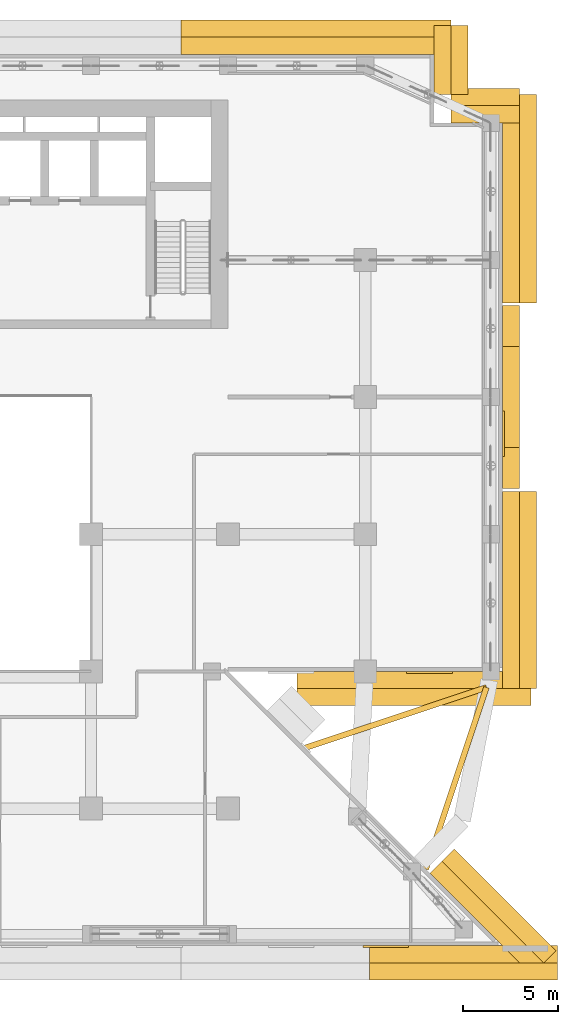
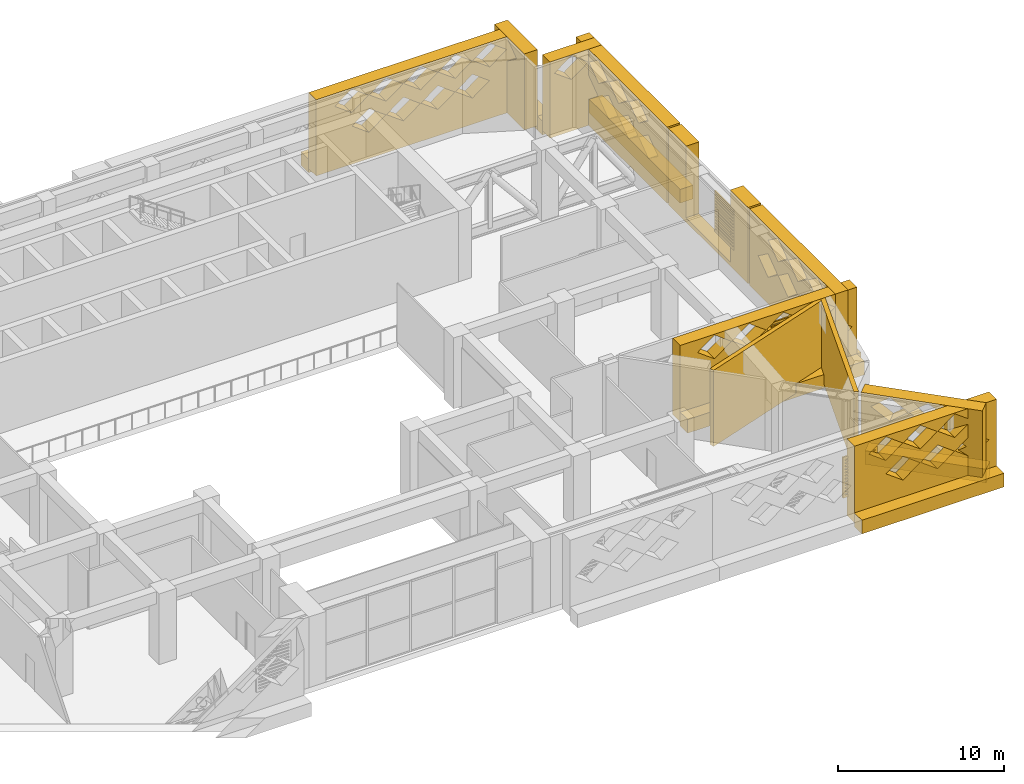
# One storey, part 19 of 19: 22 coverings.
"""IFC4 building model written with IfcOpenShell, lengths in metres."""

from ifc_helpers import new_model, si_unit, direction, frame, origin, place, context, subcontext, project, spatial, polyline, outline, extrude, material, layer, layer_set, type_object, element, save


model = new_model("IFC4")

# Units and contexts
model_context = context("Model", 3, precision=1e-05, world=origin(), true_north=direction((0.0, 1.0)))
body_context = subcontext(model_context, "Body", "Model", "MODEL_VIEW")
ifc_project = project(units=[si_unit("LENGTHUNIT", "METRE"), si_unit("AREAUNIT", "SQUARE_METRE"), si_unit("VOLUMEUNIT", "CUBIC_METRE"), si_unit("PLANEANGLEUNIT", "RADIAN"), si_unit("MASSUNIT", "GRAM", prefix="KILO")], contexts=[model_context])

# Site, building, storey
site_placement = place(None, origin())
site = spatial("IfcSite", under=ifc_project, at=site_placement, CompositionType="ELEMENT")
building_placement = place(site_placement, origin())
building = spatial("IfcBuilding", under=site, at=building_placement, Name="Saffron Iwan Residences", CompositionType="ELEMENT")
storey_placement = place(building_placement, frame((0.0, 0.0, 107.5)))
storey = spatial("IfcBuildingStorey", under=building, at=storey_placement, Name="L28", CompositionType="ELEMENT", Elevation=107.5)

# Coverings
ifc_material_1 = material(Name="Precast concrete C40/50 white painted", Category="concrete")
covering_type_1 = type_object("IfcCoveringType", Name="IWAN PANEL PRECAST WHITE", PredefinedType="CLADDING", material=ifc_material_1)
covering_1_placement = place(storey_placement, frame((86.39990234375, 57.60009765625, -0.39990234375), z_axis=(1.0, 0.0, 0.0), x_axis=(0.0, 1.0, 0.0)))
element("IfcCovering", 1, at=covering_1_placement, inside=storey, type_object=covering_type_1, Name="Iwan panel L28 F2.0", PredefinedType="CLADDING", context=body_context, shape_type="SweptSolid", body=[
    extrude(outline(polyline([(9.60009765625, 5.60009765625), (9.60009765625, 0.0), (0.0, 0.0), (0.0, 5.60009765625), (2.149169921875, 5.60009765625), (2.12841796875, 5.42529296875), (2.10009765625, 4.7041015625), (2.10009765625, 0.300048828125), (7.5, 0.300048828125), (7.5, 4.7041015625), (7.4716796875, 5.42529296875), (7.45068359375, 5.60009765625), (9.60009765625, 5.60009765625)])), origin(), (0.0, 0.0, 1.0), 0.900146484375),
])
ifc_material_2 = material(Name="Precast concrete C40/50", Category="concrete")
covering_type_2 = type_object("IfcCoveringType", Name="OUTER SKIN LATTICE SCREEN", PredefinedType="CLADDING", material=ifc_material_2)
covering_2_placement = place(storey_placement, frame((87.939453125, 32.060546875, -0.39990234375), z_axis=(0.706971125213, 0.70724241114, 0.0), x_axis=(-0.70724241114, 0.706971125213, 0.0)))
element("IfcCovering", 2, at=covering_2_placement, inside=storey, type_object=covering_type_2, Name="OUTER SKIN lattice screen L28 F0.0", PredefinedType="CLADDING", context=body_context, shape_type="SweptSolid", body=[
    extrude(outline(polyline([(0.0, 0.0), (7.559326171875, 0.0), (7.559326171875, 5.60009765625), (0.0, 5.60009765625), (0.0, 0.0)]), holes=[polyline([(0.9970703125, 2.800048828125), (2.177001953125, 1.9267578125), (3.357177734375, 2.800048828125), (2.177001953125, 3.67333984375), (0.9970703125, 2.800048828125)]), polyline([(3.397216796875, 2.800048828125), (4.5771484375, 1.9267578125), (5.757080078125, 2.800048828125), (4.5771484375, 3.67333984375), (3.397216796875, 2.800048828125)]), polyline([(2.197021484375, 4.666748046875), (3.377197265625, 3.793212890625), (4.55712890625, 4.666748046875), (3.377197265625, 5.5400390625), (2.197021484375, 4.666748046875)]), polyline([(4.59716796875, 4.666748046875), (5.777099609375, 3.793212890625), (6.95703125, 4.666748046875), (5.777099609375, 5.5400390625), (4.59716796875, 4.666748046875)])]), origin(), (0.0, 0.0, 1.0), 0.89990234375),
])
covering_3_placement = place(storey_placement, frame((75.6171875, 48.0, -0.39990234375), z_axis=(0.0, -1.0, 0.0), x_axis=(1.0, 0.0, 0.0)))
element("IfcCovering", 3, at=covering_3_placement, inside=storey, type_object=covering_type_2, Name="OUTER SKIN lattice screen L28 F1.0", PredefinedType="CLADDING", context=body_context, shape_type="SweptSolid", body=[
    extrude(outline(polyline([(0.0, 0.0), (12.282958984375, 0.0), (12.282958984375, 5.60009765625), (0.0, 5.60009765625), (0.0, 0.0)]), holes=[polyline([(2.40283203125, 2.800048828125), (3.5830078125, 1.9267578125), (4.762939453125, 2.800048828125), (3.5830078125, 3.67333984375), (2.40283203125, 2.800048828125)]), polyline([(4.802978515625, 2.800048828125), (5.98291015625, 1.9267578125), (7.162841796875, 2.800048828125), (5.98291015625, 3.67333984375), (4.802978515625, 2.800048828125)]), polyline([(7.202880859375, 2.800048828125), (8.3828125, 1.9267578125), (9.56298828125, 2.800048828125), (8.3828125, 3.67333984375), (7.202880859375, 2.800048828125)]), polyline([(9.602783203125, 2.800048828125), (10.782958984375, 1.9267578125), (11.962890625, 2.800048828125), (10.782958984375, 3.67333984375), (9.602783203125, 2.800048828125)]), polyline([(1.202880859375, 4.666748046875), (2.3828125, 3.793212890625), (3.56298828125, 4.666748046875), (2.3828125, 5.5400390625), (1.202880859375, 4.666748046875)]), polyline([(3.602783203125, 4.666748046875), (4.782958984375, 3.793212890625), (5.962890625, 4.666748046875), (4.782958984375, 5.5400390625), (3.602783203125, 4.666748046875)]), polyline([(6.0029296875, 4.666748046875), (7.182861328125, 3.793212890625), (8.36279296875, 4.666748046875), (7.182861328125, 5.5400390625), (6.0029296875, 4.666748046875)]), polyline([(8.40283203125, 4.666748046875), (9.5830078125, 3.793212890625), (10.762939453125, 4.666748046875), (9.5830078125, 5.5400390625), (8.40283203125, 4.666748046875)])]), origin(), (0.0, 0.0, 1.0), 0.89990234375),
])
covering_4_placement = place(storey_placement, frame((86.39990234375, 47.10009765625, -0.39990234375), z_axis=(1.0, 0.0, 0.0), x_axis=(0.0, 1.0, 0.0)))
element("IfcCovering", 4, at=covering_4_placement, inside=storey, type_object=covering_type_2, Name="OUTER SKIN lattice screen L28 F2.0", PredefinedType="CLADDING", context=body_context, shape_type="SweptSolid", body=[
    extrude(outline(polyline([(0.0, 0.0), (10.35009765625, 0.0), (10.35009765625, 5.60009765625), (0.0, 5.60009765625), (0.0, 0.0)]), holes=[polyline([(2.1201171875, 2.800048828125), (3.300048828125, 1.9267578125), (4.47998046875, 2.800048828125), (3.300048828125, 3.67333984375), (2.1201171875, 2.800048828125)]), polyline([(4.52001953125, 2.800048828125), (5.699951171875, 1.9267578125), (6.8798828125, 2.800048828125), (5.699951171875, 3.67333984375), (4.52001953125, 2.800048828125)]), polyline([(6.919921875, 2.800048828125), (8.10009765625, 1.9267578125), (9.280029296875, 2.800048828125), (8.10009765625, 3.67333984375), (6.919921875, 2.800048828125)]), polyline([(0.919921875, 4.666748046875), (2.10009765625, 3.793212890625), (3.280029296875, 4.666748046875), (2.10009765625, 5.5400390625), (0.919921875, 4.666748046875)]), polyline([(3.320068359375, 4.666748046875), (4.5, 3.793212890625), (5.679931640625, 4.666748046875), (4.5, 5.5400390625), (3.320068359375, 4.666748046875)]), polyline([(5.719970703125, 4.666748046875), (6.89990234375, 3.793212890625), (8.080078125, 4.666748046875), (6.89990234375, 5.5400390625), (5.719970703125, 4.666748046875)])]), origin(), (0.0, 0.0, 1.0), 0.900146484375),
])
covering_5_placement = place(storey_placement, frame((86.39990234375, 67.35009765625, -0.39990234375), z_axis=(1.0, 0.0, 0.0), x_axis=(0.0, 1.0, 0.0)))
element("IfcCovering", 5, at=covering_5_placement, inside=storey, type_object=covering_type_2, Name="OUTER SKIN lattice screen L28 F2.1", PredefinedType="CLADDING", context=body_context, shape_type="SweptSolid", body=[
    extrude(outline(polyline([(0.0, 0.0), (10.949951171875, 0.0), (10.949951171875, 5.60009765625), (0.0, 5.60009765625), (0.0, 0.0)]), holes=[polyline([(1.070068359375, 2.800048828125), (2.25, 1.9267578125), (3.429931640625, 2.800048828125), (2.25, 3.67333984375), (1.070068359375, 2.800048828125)]), polyline([(3.469970703125, 2.800048828125), (4.64990234375, 1.9267578125), (5.830078125, 2.800048828125), (4.64990234375, 3.67333984375), (3.469970703125, 2.800048828125)]), polyline([(5.8701171875, 2.800048828125), (7.050048828125, 1.9267578125), (8.22998046875, 2.800048828125), (7.050048828125, 3.67333984375), (5.8701171875, 2.800048828125)]), polyline([(8.27001953125, 2.800048828125), (9.449951171875, 1.9267578125), (10.6298828125, 2.800048828125), (9.449951171875, 3.67333984375), (8.27001953125, 2.800048828125)]), polyline([(2.27001953125, 4.666748046875), (3.449951171875, 3.793212890625), (4.6298828125, 4.666748046875), (3.449951171875, 5.5400390625), (2.27001953125, 4.666748046875)]), polyline([(4.669921875, 4.666748046875), (5.85009765625, 3.793212890625), (7.030029296875, 4.666748046875), (5.85009765625, 5.5400390625), (4.669921875, 4.666748046875)]), polyline([(7.070068359375, 4.666748046875), (8.25, 3.793212890625), (9.429931640625, 4.666748046875), (8.25, 5.5400390625), (7.070068359375, 4.666748046875)])]), origin(), (0.0, 0.0, 1.0), 0.900146484375),
])
for number, where, z_axis, x_axis, name in (
    (6, (87.300048828125, 76.800048828125, -0.39990234375), (0.0, 1.0, 0.0), (-1.0, 0.0, 0.0), "OUTER SKIN lattice screen L28 F3.0"),
    (7, (82.800048828125, 78.300048828125, -0.39990234375), (1.0, 0.0, 0.0), (0.0, 1.0, 0.0), "OUTER SKIN lattice screen L28 F4.0"),
):
    element("IfcCovering", number, at=place(storey_placement, frame(where, z_axis=z_axis, x_axis=x_axis)), inside=storey, type_object=covering_type_2, Name=name, PredefinedType="CLADDING", context=body_context, shape_type="SweptSolid", body=[
        extrude(outline(polyline([(0.0, 0.0), (3.60009765625, 0.0), (3.60009765625, 5.60009765625), (0.0, 5.60009765625), (0.0, 0.0)]), holes=[polyline([(0.919921875, 4.666748046875), (2.10009765625, 3.793212890625), (3.280029296875, 4.666748046875), (2.10009765625, 5.5400390625), (0.919921875, 4.666748046875)])]), origin(), (0.0, 0.0, 1.0), 0.89990234375),
    ])
covering_6_placement = place(storey_placement, frame((83.699951171875, 80.39990234375, -0.39990234375), z_axis=(0.0, 1.0, 0.0), x_axis=(-1.0, 0.0, 0.0)))
element("IfcCovering", 8, at=covering_6_placement, inside=storey, type_object=covering_type_2, Name="OUTER SKIN lattice screen L28 F5.0", PredefinedType="CLADDING", context=body_context, shape_type="SweptSolid", body=[
    extrude(outline(polyline([(0.0, 0.0), (14.175048828125, 0.0), (14.175048828125, 5.60009765625), (0.0, 5.60009765625), (0.0, 0.0)]), holes=[polyline([(2.1201171875, 2.800048828125), (3.300048828125, 1.9267578125), (4.47998046875, 2.800048828125), (3.300048828125, 3.67333984375), (2.1201171875, 2.800048828125)]), polyline([(4.52001953125, 2.800048828125), (5.699951171875, 1.9267578125), (6.8798828125, 2.800048828125), (5.699951171875, 3.67333984375), (4.52001953125, 2.800048828125)]), polyline([(6.919921875, 2.800048828125), (8.10009765625, 1.9267578125), (9.280029296875, 2.800048828125), (8.10009765625, 3.67333984375), (6.919921875, 2.800048828125)]), polyline([(9.320068359375, 2.800048828125), (10.5, 1.9267578125), (11.679931640625, 2.800048828125), (10.5, 3.67333984375), (9.320068359375, 2.800048828125)]), polyline([(0.919921875, 4.666748046875), (2.10009765625, 3.793212890625), (3.280029296875, 4.666748046875), (2.10009765625, 5.5400390625), (0.919921875, 4.666748046875)]), polyline([(3.320068359375, 4.666748046875), (4.5, 3.793212890625), (5.679931640625, 4.666748046875), (4.5, 5.5400390625), (3.320068359375, 4.666748046875)]), polyline([(5.719970703125, 4.666748046875), (6.89990234375, 3.793212890625), (8.080078125, 4.666748046875), (6.89990234375, 5.5400390625), (5.719970703125, 4.666748046875)]), polyline([(8.1201171875, 4.666748046875), (9.300048828125, 3.793212890625), (10.47998046875, 4.666748046875), (9.300048828125, 5.5400390625), (8.1201171875, 4.666748046875)]), polyline([(10.52001953125, 4.666748046875), (11.699951171875, 3.793212890625), (12.8798828125, 4.666748046875), (11.699951171875, 5.5400390625), (10.52001953125, 4.666748046875)])]), origin(), (0.0, 0.0, 1.0), 0.900146484375),
])
covering_7_placement = place(storey_placement, frame((79.414794921875, 33.60009765625, -0.39990234375), z_axis=(0.0, -1.0, 0.0), x_axis=(1.0, 0.0, 0.0)))
element("IfcCovering", 9, at=covering_7_placement, inside=storey, type_object=covering_type_2, Name="OUTER SKIN lattice screen L28 F11.4", PredefinedType="CLADDING", context=body_context, shape_type="SweptSolid", body=[
    extrude(outline(polyline([(0.0, 0.0), (9.88232421875, 0.0), (9.88232421875, 5.60009765625), (0.0, 5.60009765625), (0.0, 0.0)]), holes=[polyline([(2.205322265625, 2.800048828125), (3.38525390625, 1.9267578125), (4.565185546875, 2.800048828125), (3.38525390625, 3.67333984375), (2.205322265625, 2.800048828125)]), polyline([(4.605224609375, 2.800048828125), (5.785400390625, 1.9267578125), (6.96533203125, 2.800048828125), (5.785400390625, 3.67333984375), (4.605224609375, 2.800048828125)]), polyline([(7.00537109375, 2.800048828125), (8.185302734375, 1.9267578125), (9.365234375, 2.800048828125), (8.185302734375, 3.67333984375), (7.00537109375, 2.800048828125)]), polyline([(1.00537109375, 4.666748046875), (2.185302734375, 3.793212890625), (3.365234375, 4.666748046875), (2.185302734375, 5.5400390625), (1.00537109375, 4.666748046875)]), polyline([(3.4052734375, 4.666748046875), (4.585205078125, 3.793212890625), (5.765380859375, 4.666748046875), (4.585205078125, 5.5400390625), (3.4052734375, 4.666748046875)]), polyline([(5.805419921875, 4.666748046875), (6.9853515625, 3.793212890625), (8.165283203125, 4.666748046875), (6.9853515625, 5.5400390625), (5.805419921875, 4.666748046875)])]), origin(), (0.0, 0.0, 1.0), 0.900146484375),
])
ifc_material_3 = material(Name="Aluminium 6063-T6 louvre", Category="aluminium")
covering_type_3 = type_object("IfcCoveringType", Name="PLANT LOUVRE PANEL 2400 x 3000", PredefinedType="CLADDING", material=ifc_material_3)
covering_8_placement = place(storey_placement, frame((81.375, 48.0, 1.0), z_axis=(0.0, -1.0, 0.0), x_axis=(1.0, 0.0, 0.0)))
element("IfcCovering", 10, at=covering_8_placement, inside=storey, type_object=covering_type_3, Name="Plant louvre L28 F1.0", PredefinedType="CLADDING", context=body_context, shape_type="SweptSolid", body=[
    extrude(outline(polyline([(0.0, 0.0), (2.39990234375, 0.0), (2.39990234375, 3.0), (0.0, 3.0), (0.0, 0.0)]), holes=[polyline([(0.14990234375, 0.199951171875), (2.25, 0.199951171875), (2.25, 0.2900390625), (0.14990234375, 0.2900390625), (0.14990234375, 0.199951171875)]), polyline([(0.14990234375, 0.429931640625), (2.25, 0.429931640625), (2.25, 0.52001953125), (0.14990234375, 0.52001953125), (0.14990234375, 0.429931640625)]), polyline([(0.14990234375, 0.659912109375), (2.25, 0.659912109375), (2.25, 0.75), (0.14990234375, 0.75), (0.14990234375, 0.659912109375)]), polyline([(0.14990234375, 0.889892578125), (2.25, 0.889892578125), (2.25, 0.97998046875), (0.14990234375, 0.97998046875), (0.14990234375, 0.889892578125)]), polyline([(0.14990234375, 1.1201171875), (2.25, 1.1201171875), (2.25, 1.2099609375), (0.14990234375, 1.2099609375), (0.14990234375, 1.1201171875)]), polyline([(0.14990234375, 1.35009765625), (2.25, 1.35009765625), (2.25, 1.43994140625), (0.14990234375, 1.43994140625), (0.14990234375, 1.35009765625)]), polyline([(0.14990234375, 1.580078125), (2.25, 1.580078125), (2.25, 1.669921875), (0.14990234375, 1.669921875), (0.14990234375, 1.580078125)]), polyline([(0.14990234375, 1.81005859375), (2.25, 1.81005859375), (2.25, 1.89990234375), (0.14990234375, 1.89990234375), (0.14990234375, 1.81005859375)]), polyline([(0.14990234375, 2.0400390625), (2.25, 2.0400390625), (2.25, 2.1298828125), (0.14990234375, 2.1298828125), (0.14990234375, 2.0400390625)]), polyline([(0.14990234375, 2.27001953125), (2.25, 2.27001953125), (2.25, 2.360107421875), (0.14990234375, 2.360107421875), (0.14990234375, 2.27001953125)]), polyline([(0.14990234375, 2.5), (2.25, 2.5), (2.25, 2.590087890625), (0.14990234375, 2.590087890625), (0.14990234375, 2.5)]), polyline([(0.14990234375, 2.72998046875), (2.25, 2.72998046875), (2.25, 2.820068359375), (0.14990234375, 2.820068359375), (0.14990234375, 2.72998046875)])]), origin(), (0.0, 0.0, 1.0), 0.10009765625),
])
covering_9_placement = place(storey_placement, frame((86.39990234375, 59.27099609375, 1.0), z_axis=(1.0, 0.0, 0.0), x_axis=(0.0, 1.0, 0.0)))
element("IfcCovering", 11, at=covering_9_placement, inside=storey, type_object=covering_type_3, Name="Plant louvre L28 F2.0", PredefinedType="CLADDING", context=body_context, shape_type="SweptSolid", body=[
    extrude(outline(polyline([(0.0, 0.0), (2.39990234375, 0.0), (2.39990234375, 3.0), (0.0, 3.0), (0.0, 0.0)]), holes=[polyline([(0.14990234375, 0.199951171875), (2.25, 0.199951171875), (2.25, 0.2900390625), (0.14990234375, 0.2900390625), (0.14990234375, 0.199951171875)]), polyline([(0.14990234375, 0.429931640625), (2.25, 0.429931640625), (2.25, 0.52001953125), (0.14990234375, 0.52001953125), (0.14990234375, 0.429931640625)]), polyline([(0.14990234375, 0.659912109375), (2.25, 0.659912109375), (2.25, 0.75), (0.14990234375, 0.75), (0.14990234375, 0.659912109375)]), polyline([(0.14990234375, 0.889892578125), (2.25, 0.889892578125), (2.25, 0.97998046875), (0.14990234375, 0.97998046875), (0.14990234375, 0.889892578125)]), polyline([(0.14990234375, 1.1201171875), (2.25, 1.1201171875), (2.25, 1.2099609375), (0.14990234375, 1.2099609375), (0.14990234375, 1.1201171875)]), polyline([(0.14990234375, 1.35009765625), (2.25, 1.35009765625), (2.25, 1.43994140625), (0.14990234375, 1.43994140625), (0.14990234375, 1.35009765625)]), polyline([(0.14990234375, 1.580078125), (2.25, 1.580078125), (2.25, 1.669921875), (0.14990234375, 1.669921875), (0.14990234375, 1.580078125)]), polyline([(0.14990234375, 1.81005859375), (2.25, 1.81005859375), (2.25, 1.89990234375), (0.14990234375, 1.89990234375), (0.14990234375, 1.81005859375)]), polyline([(0.14990234375, 2.0400390625), (2.25, 2.0400390625), (2.25, 2.1298828125), (0.14990234375, 2.1298828125), (0.14990234375, 2.0400390625)]), polyline([(0.14990234375, 2.27001953125), (2.25, 2.27001953125), (2.25, 2.360107421875), (0.14990234375, 2.360107421875), (0.14990234375, 2.27001953125)]), polyline([(0.14990234375, 2.5), (2.25, 2.5), (2.25, 2.590087890625), (0.14990234375, 2.590087890625), (0.14990234375, 2.5)]), polyline([(0.14990234375, 2.72998046875), (2.25, 2.72998046875), (2.25, 2.820068359375), (0.14990234375, 2.820068359375), (0.14990234375, 2.72998046875)])]), origin(), (0.0, 0.0, 1.0), 0.10009765625),
])
covering_10_placement = place(storey_placement, frame((79.080078125, 33.60009765625, 1.0), z_axis=(0.0, -1.0, 0.0), x_axis=(1.0, 0.0, 0.0)))
element("IfcCovering", 12, at=covering_10_placement, inside=storey, type_object=covering_type_3, Name="Plant louvre L28 F11.3", PredefinedType="CLADDING", context=body_context, shape_type="SweptSolid", body=[
    extrude(outline(polyline([(0.0, 0.0), (2.39990234375, 0.0), (2.39990234375, 3.0), (0.0, 3.0), (0.0, 0.0)]), holes=[polyline([(0.14990234375, 0.199951171875), (2.25, 0.199951171875), (2.25, 0.2900390625), (0.14990234375, 0.2900390625), (0.14990234375, 0.199951171875)]), polyline([(0.14990234375, 0.429931640625), (2.25, 0.429931640625), (2.25, 0.52001953125), (0.14990234375, 0.52001953125), (0.14990234375, 0.429931640625)]), polyline([(0.14990234375, 0.659912109375), (2.25, 0.659912109375), (2.25, 0.75), (0.14990234375, 0.75), (0.14990234375, 0.659912109375)]), polyline([(0.14990234375, 0.889892578125), (2.25, 0.889892578125), (2.25, 0.97998046875), (0.14990234375, 0.97998046875), (0.14990234375, 0.889892578125)]), polyline([(0.14990234375, 1.1201171875), (2.25, 1.1201171875), (2.25, 1.2099609375), (0.14990234375, 1.2099609375), (0.14990234375, 1.1201171875)]), polyline([(0.14990234375, 1.35009765625), (2.25, 1.35009765625), (2.25, 1.43994140625), (0.14990234375, 1.43994140625), (0.14990234375, 1.35009765625)]), polyline([(0.14990234375, 1.580078125), (2.25, 1.580078125), (2.25, 1.669921875), (0.14990234375, 1.669921875), (0.14990234375, 1.580078125)]), polyline([(0.14990234375, 1.81005859375), (2.25, 1.81005859375), (2.25, 1.89990234375), (0.14990234375, 1.89990234375), (0.14990234375, 1.81005859375)]), polyline([(0.14990234375, 2.0400390625), (2.25, 2.0400390625), (2.25, 2.1298828125), (0.14990234375, 2.1298828125), (0.14990234375, 2.0400390625)]), polyline([(0.14990234375, 2.27001953125), (2.25, 2.27001953125), (2.25, 2.360107421875), (0.14990234375, 2.360107421875), (0.14990234375, 2.27001953125)]), polyline([(0.14990234375, 2.5), (2.25, 2.5), (2.25, 2.590087890625), (0.14990234375, 2.590087890625), (0.14990234375, 2.5)]), polyline([(0.14990234375, 2.72998046875), (2.25, 2.72998046875), (2.25, 2.820068359375), (0.14990234375, 2.820068359375), (0.14990234375, 2.72998046875)])]), origin(), (0.0, 0.0, 1.0), 0.10009765625),
])
ifc_layer_1 = layer(ifc_material_1, 0.300048828125)
ifc_layer_set_1 = layer_set([ifc_layer_1], Name="Precast concrete C40/50 white painted")
covering_type_4 = type_object("IfcCoveringType", Name="PROW NOSE BLADE PRECAST WHITE", PredefinedType="CLADDING", material=ifc_layer_set_1)
covering_11_placement = place(storey_placement, frame((0.0, 0.0, -0.39990234375)))
element("IfcCovering", 13, at=covering_11_placement, inside=storey, type_object=covering_type_4, Name="Prow nose blade L28 a", PredefinedType="CLADDING", context=body_context, shape_type="SweptSolid", body=[
    extrude(outline(polyline([(82.5244140625, 37.570556640625), (85.706298828125, 47.116455078125), (85.421630859375, 47.21142578125), (82.23974609375, 37.66552734375), (82.5244140625, 37.570556640625)])), origin(), (0.0, 0.0, 1.0), 5.599853515625),
])
covering_12_placement = place(storey_placement, frame((0.0, 0.0, -0.39990234375)))
element("IfcCovering", 14, at=covering_12_placement, inside=storey, type_object=covering_type_4, Name="Prow nose blade L28 b", PredefinedType="CLADDING", context=body_context, shape_type="SweptSolid", body=[
    extrude(outline(polyline([(76.0654296875, 43.839599609375), (85.611328125, 47.021728515625), (85.5166015625, 47.306396484375), (75.970703125, 44.124267578125), (76.0654296875, 43.839599609375)])), origin(), (0.0, 0.0, 1.0), 5.599853515625),
])
ifc_layer_2 = layer(ifc_material_1, 0.89990234375)
ifc_layer_set_2 = layer_set([ifc_layer_2], Name="Precast concrete C40/50 white painted")
covering_type_5 = type_object("IfcCoveringType", Name="WHITE EDGE BAND 900 x 1000", PredefinedType="CLADDING", material=ifc_layer_set_2)
covering_13_placement = place(storey_placement, frame((0.0, 0.0, -0.699951171875)))
element("IfcCovering", 15, at=covering_13_placement, inside=storey, type_object=covering_type_5, Name="White edge band L28 F0.0", PredefinedType="CLADDING", context=body_context, shape_type="SweptSolid", body=[
    extrude(outline(polyline([(89.212158203125, 33.33349609375), (83.866943359375, 38.6787109375), (83.23046875, 38.042236328125), (88.57568359375, 32.697021484375), (89.212158203125, 33.33349609375)])), origin(), (0.0, 0.0, 1.0), 1.0),
])
covering_14_placement = place(storey_placement, frame((0.0, 0.0, -0.699951171875)))
element("IfcCovering", 16, at=covering_14_placement, inside=storey, type_object=covering_type_5, Name="White edge band L28 F1.0", PredefinedType="CLADDING", context=body_context, shape_type="SweptSolid", body=[
    extrude(outline(polyline([(75.6171875, 46.199951171875), (87.89990234375, 46.199951171875), (87.89990234375, 47.10009765625), (75.6171875, 47.10009765625), (75.6171875, 46.199951171875)])), origin(), (0.0, 0.0, 1.0), 1.0),
])
covering_15_placement = place(storey_placement, frame((0.0, 0.0, -0.699951171875)))
element("IfcCovering", 17, at=covering_15_placement, inside=storey, type_object=covering_type_5, Name="White edge band L28 F2.0", PredefinedType="CLADDING", context=body_context, shape_type="SweptSolid", body=[
    extrude(outline(polyline([(88.199951171875, 47.10009765625), (88.199951171875, 57.449951171875), (87.300048828125, 57.449951171875), (87.300048828125, 47.10009765625), (88.199951171875, 47.10009765625)])), origin(), (0.0, 0.0, 1.0), 1.0),
])
covering_16_placement = place(storey_placement, frame((0.0, 0.0, -0.699951171875)))
element("IfcCovering", 18, at=covering_16_placement, inside=storey, type_object=covering_type_5, Name="White edge band L28 F2.1", PredefinedType="CLADDING", context=body_context, shape_type="SweptSolid", body=[
    extrude(outline(polyline([(88.199951171875, 67.35009765625), (88.199951171875, 78.300048828125), (87.300048828125, 78.300048828125), (87.300048828125, 67.35009765625), (88.199951171875, 67.35009765625)])), origin(), (0.0, 0.0, 1.0), 1.0),
])
covering_17_placement = place(storey_placement, frame((0.0, 0.0, -0.699951171875)))
element("IfcCovering", 19, at=covering_17_placement, inside=storey, type_object=covering_type_5, Name="White edge band L28 F3.0", PredefinedType="CLADDING", context=body_context, shape_type="SweptSolid", body=[
    extrude(outline(polyline([(87.300048828125, 78.60009765625), (83.699951171875, 78.60009765625), (83.699951171875, 77.699951171875), (87.300048828125, 77.699951171875), (87.300048828125, 78.60009765625)])), origin(), (0.0, 0.0, 1.0), 1.0),
])
covering_18_placement = place(storey_placement, frame((0.0, 0.0, -0.699951171875)))
element("IfcCovering", 20, at=covering_18_placement, inside=storey, type_object=covering_type_5, Name="White edge band L28 F4.0", PredefinedType="CLADDING", context=body_context, shape_type="SweptSolid", body=[
    extrude(outline(polyline([(84.60009765625, 78.300048828125), (84.60009765625, 81.89990234375), (83.699951171875, 81.89990234375), (83.699951171875, 78.300048828125), (84.60009765625, 78.300048828125)])), origin(), (0.0, 0.0, 1.0), 1.0),
])
covering_19_placement = place(storey_placement, frame((0.0, 0.0, -0.699951171875)))
element("IfcCovering", 21, at=covering_19_placement, inside=storey, type_object=covering_type_5, Name="White edge band L28 F5.0", PredefinedType="CLADDING", context=body_context, shape_type="SweptSolid", body=[
    extrude(outline(polyline([(83.699951171875, 82.199951171875), (69.52490234375, 82.199951171875), (69.52490234375, 81.300048828125), (83.699951171875, 81.300048828125), (83.699951171875, 82.199951171875)])), origin(), (0.0, 0.0, 1.0), 1.0),
])
covering_20_placement = place(storey_placement, frame((0.0, 0.0, -0.699951171875)))
element("IfcCovering", 22, at=covering_20_placement, inside=storey, type_object=covering_type_5, Name="White edge band L28 F11.4", PredefinedType="CLADDING", context=body_context, shape_type="SweptSolid", body=[
    extrude(outline(polyline([(79.414794921875, 31.800048828125), (89.297119140625, 31.800048828125), (89.297119140625, 32.699951171875), (79.414794921875, 32.699951171875), (79.414794921875, 31.800048828125)])), origin(), (0.0, 0.0, 1.0), 1.0),
])

save(model, "model.ifc")
